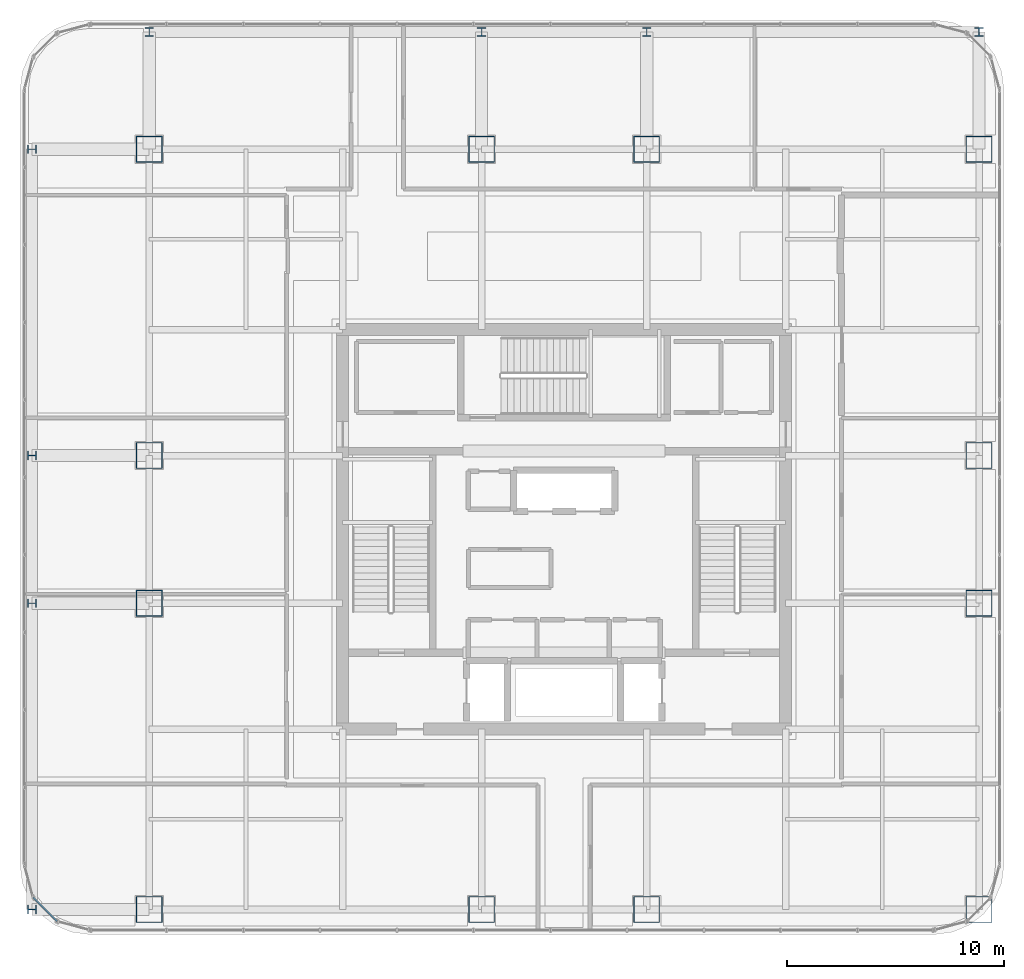
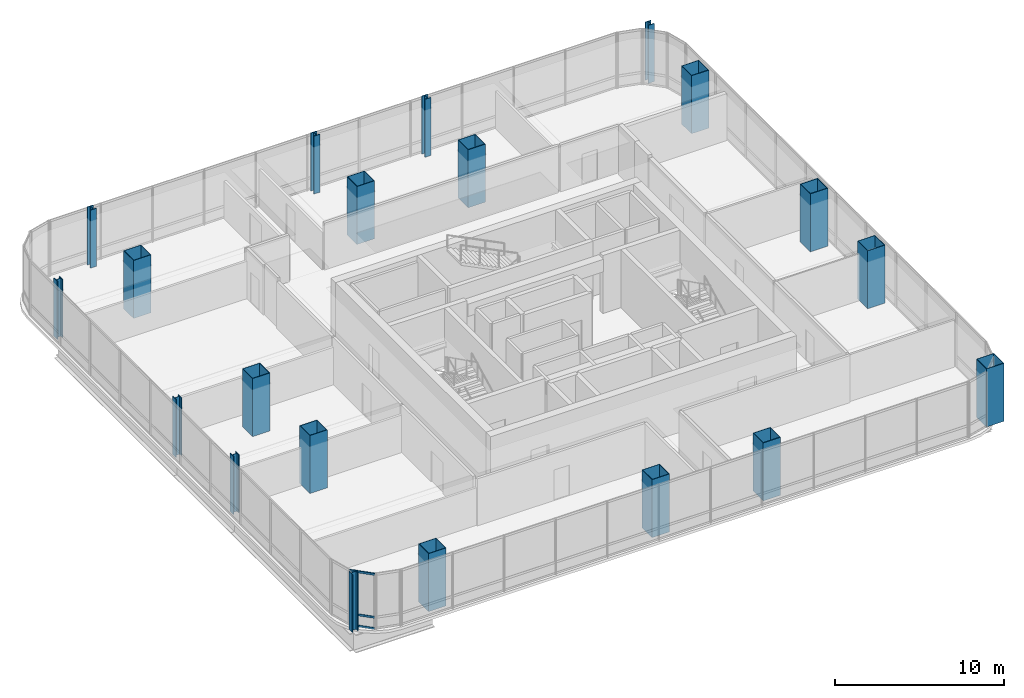
# One storey, part 1 of 41: 20 columns, 3 members, 1 element without a shape of its own.
"""IFC4 building model written with IfcOpenShell, lengths in metres."""

from ifc_helpers import new_model, si_unit, direction, frame, origin, origin_2d, place, context, subcontext, project, spatial, hollow_rectangle, i_section, extrude, material, material_profile, profile_set, type_object, element, aggregate, save


model = new_model("IFC4")

# Units and contexts
model_context = context("Model", 3, precision=1e-05, world=origin(), true_north=direction((0.0, 1.0)))
body_context = subcontext(model_context, "Body", "Model", "MODEL_VIEW")
ifc_project = project(units=[si_unit("LENGTHUNIT", "METRE"), si_unit("AREAUNIT", "SQUARE_METRE"), si_unit("VOLUMEUNIT", "CUBIC_METRE"), si_unit("PLANEANGLEUNIT", "RADIAN"), si_unit("MASSUNIT", "GRAM", prefix="KILO")], contexts=[model_context])

# Site, building, storey
site_placement = place(None, origin())
site = spatial("IfcSite", under=ifc_project, at=site_placement, CompositionType="ELEMENT")
building_placement = place(site_placement, origin())
building = spatial("IfcBuilding", under=site, at=building_placement, Name="Punatoya Terracotta Tower", CompositionType="ELEMENT")
storey_placement = place(building_placement, frame((0.0, 0.0, 292.199951171875)))
storey = spatial("IfcBuildingStorey", under=building, at=storey_placement, Name="L69", CompositionType="ELEMENT", Elevation=292.199951171875)

# Columns
ifc_material_1 = material(Name="Steel S460", Category="steel")
ifc_material_profile_1 = material_profile(ifc_material_1, i_section(OverallWidth=0.406005859375, OverallDepth=0.416015625, WebThickness=0.029052734375, FlangeThickness=0.048095703125, FilletRadius=0.01806640625, at=origin_2d()))
ifc_profile_set_1 = profile_set([ifc_material_profile_1], Name="Steel S460")
column_type_1 = type_object("IfcColumnType", Name="COL-EX-M3", PredefinedType="COLUMN", material=ifc_profile_set_1)
for number, where, z_axis, x_axis, name in (
    (1, (-19.10009765625, 22.89990234375, 0.0), (0.0, 0.0, 1.0), (1.0, 0.0, 0.0), "L69 Exoskeleton Perimeter Column N1"),
    (2, (-3.800048828125, 22.89990234375, 0.0), (0.0, 0.0, 1.0), (1.0, 0.0, 0.0), "L69 Exoskeleton Perimeter Column N2"),
    (3, (3.800048828125, 22.89990234375, 0.0), (0.0, 0.0, 1.0), (1.0, 0.0, 0.0), "L69 Exoskeleton Perimeter Column N3"),
    (4, (19.10009765625, 22.89990234375, 0.0), (0.0, 0.0, 1.0), (1.0, 0.0, 0.0), "L69 Exoskeleton Perimeter Column N4"),
    (5, (-24.5, -17.5, 0.0), (0.0, 0.0, 1.0), (0.0, 1.0, 0.0), "L69 Exoskeleton Perimeter Column W1"),
    (6, (-24.5, -3.39990234375, 0.0), (0.0, 0.0, 1.0), (0.0, 1.0, 0.0), "L69 Exoskeleton Perimeter Column W2"),
    (7, (-24.5, 3.39990234375, 0.0), (0.0, 0.0, 1.0), (0.0, 1.0, 0.0), "L69 Exoskeleton Perimeter Column W3"),
    (8, (-24.5, 17.5, 0.0), (0.0, 0.0, 1.0), (0.0, 1.0, 0.0), "L69 Exoskeleton Perimeter Column W4"),
):
    element("IfcColumn", number, at=place(storey_placement, frame(where, z_axis=z_axis, x_axis=x_axis)), inside=storey, type_object=column_type_1, Name=name, PredefinedType="COLUMN", context=body_context, shape_type="SweptSolid", body=[
        extrude(i_section(OverallWidth=0.406005859375, OverallDepth=0.416015625, WebThickness=0.029052734375, FlangeThickness=0.048095703125, FilletRadius=0.01806640625, at=origin_2d()), origin(), (0.0, 0.0, 1.0), 4.197998046875),
    ])
ifc_material_profile_2 = material_profile(ifc_material_1, hollow_rectangle(XDim=1.199951171875, YDim=1.199951171875, WallThickness=0.034912109375, at=origin_2d()))
ifc_profile_set_2 = profile_set([ifc_material_profile_2], Name="Steel S460")
column_type_2 = type_object("IfcColumnType", Name="COL-MC-Z4", PredefinedType="COLUMN", material=ifc_profile_set_2)
for number, where, z_axis, x_axis, name in (
    (9, (-19.10009765625, -17.5, 0.0), (0.0, 0.0, 1.0), (1.0, 0.0, 0.0), "L69 Composite Mega-Column MC-01 (3-B)"),
    (10, (-3.800048828125, -17.5, 0.0), (0.0, 0.0, 1.0), (1.0, 0.0, 0.0), "L69 Composite Mega-Column MC-02 (5-B)"),
    (11, (3.800048828125, -17.5, 0.0), (0.0, 0.0, 1.0), (1.0, 0.0, 0.0), "L69 Composite Mega-Column MC-03 (7-B)"),
    (12, (19.10009765625, -17.5, 0.0), (0.0, 0.0, 1.0), (1.0, 0.0, 0.0), "L69 Composite Mega-Column MC-04 (9-B)"),
    (13, (19.10009765625, -3.39990234375, 0.0), (0.0, 0.0, 1.0), (1.0, 0.0, 0.0), "L69 Composite Mega-Column MC-05 (9-D)"),
    (14, (19.10009765625, 3.39990234375, 0.0), (0.0, 0.0, 1.0), (1.0, 0.0, 0.0), "L69 Composite Mega-Column MC-06 (9-E)"),
    (15, (19.10009765625, 17.5, 0.0), (0.0, 0.0, 1.0), (1.0, 0.0, 0.0), "L69 Composite Mega-Column MC-07 (9-G)"),
    (16, (3.800048828125, 17.5, 0.0), (0.0, 0.0, 1.0), (1.0, 0.0, 0.0), "L69 Composite Mega-Column MC-08 (7-G)"),
    (17, (-3.800048828125, 17.5, 0.0), (0.0, 0.0, 1.0), (1.0, 0.0, 0.0), "L69 Composite Mega-Column MC-09 (5-G)"),
    (18, (-19.10009765625, 17.5, 0.0), (0.0, 0.0, 1.0), (1.0, 0.0, 0.0), "L69 Composite Mega-Column MC-10 (3-G)"),
    (19, (-19.10009765625, 3.39990234375, 0.0), (0.0, 0.0, 1.0), (1.0, 0.0, 0.0), "L69 Composite Mega-Column MC-11 (3-E)"),
    (20, (-19.10009765625, -3.39990234375, 0.0), (0.0, 0.0, 1.0), (1.0, 0.0, 0.0), "L69 Composite Mega-Column MC-12 (3-D)"),
):
    element("IfcColumn", number, at=place(storey_placement, frame(where, z_axis=z_axis, x_axis=x_axis)), inside=storey, type_object=column_type_2, Name=name, PredefinedType="COLUMN", context=body_context, shape_type="SweptSolid", body=[
        extrude(hollow_rectangle(XDim=1.199951171875, YDim=1.199951171875, WallThickness=0.034912109375, at=origin_2d()), origin(), (0.0, 0.0, 1.0), 4.199951171875),
    ])

# Curtain wall, members
ifc_material_2 = material(Name="Aluminium 6063-T6 + Double Low-E Glass", Category="aluminium")
curtain_wall_type = type_object("IfcCurtainWallType", Name="CW-M3", PredefinedType="NOTDEFINED", material=ifc_material_2)
curtain_wall_placement = place(storey_placement, origin())
curtain_wall = element("IfcCurtainWall", 21, at=curtain_wall_placement, inside=storey, type_object=curtain_wall_type, Name="L69 Curtain Wall CW-L69-CRN15", PredefinedType="NOTDEFINED")
ifc_material_3 = material(Name="Aluminium 6063-T6", Category="aluminium")
ifc_material_profile_3 = material_profile(ifc_material_3, hollow_rectangle(XDim=0.068115234375, YDim=0.14990234375, WallThickness=0.00390625, at=origin_2d()))
ifc_profile_set_3 = profile_set([ifc_material_profile_3], Name="Aluminium 6063-T6")
member_type = type_object("IfcMemberType", Name="CW-TRN-TYP", PredefinedType="USERDEFINED", material=ifc_profile_set_3)
member_1_placement = place(storey_placement, frame((-24.446533203125, -16.94921875, 0.0400390625), z_axis=(0.707106781187, -0.707106781187, 0.0), x_axis=(0.707106781187, 0.707106781187, 0.0)))
member_1 = element("IfcMember", 22, at=member_1_placement, type_object=member_type, Name="CW-L69-CRN15 Transom 1", ObjectType="TRANSOM", PredefinedType="USERDEFINED", context=body_context, shape_type="SweptSolid", body=[
    extrude(hollow_rectangle(XDim=0.068115234375, YDim=0.14990234375, WallThickness=0.00390625, at=origin_2d()), origin(), (0.0, 0.0, 1.0), 1.552001953125),
])
member_2_placement = place(storey_placement, frame((-24.446533203125, -16.94921875, 0.85009765625), z_axis=(0.707106781187, -0.707106781187, 0.0), x_axis=(0.707106781187, 0.707106781187, 0.0)))
member_2 = element("IfcMember", 23, at=member_2_placement, type_object=member_type, Name="CW-L69-CRN15 Transom 2", ObjectType="TRANSOM", PredefinedType="USERDEFINED", context=body_context, shape_type="SweptSolid", body=[
    extrude(hollow_rectangle(XDim=0.068115234375, YDim=0.14990234375, WallThickness=0.00390625, at=origin_2d()), origin(), (0.0, 0.0, 1.0), 1.552001953125),
])
member_3_placement = place(storey_placement, frame((-24.446533203125, -16.94921875, 3.9599609375), z_axis=(0.707106781187, -0.707106781187, 0.0), x_axis=(0.707106781187, 0.707106781187, 0.0)))
member_3 = element("IfcMember", 24, at=member_3_placement, type_object=member_type, Name="CW-L69-CRN15 Transom 3", ObjectType="TRANSOM", PredefinedType="USERDEFINED", context=body_context, shape_type="SweptSolid", body=[
    extrude(hollow_rectangle(XDim=0.068115234375, YDim=0.14990234375, WallThickness=0.00390625, at=origin_2d()), origin(), (0.0, 0.0, 1.0), 1.552001953125),
])
aggregate(curtain_wall, [member_1, member_2, member_3])

save(model, "model.ifc")
